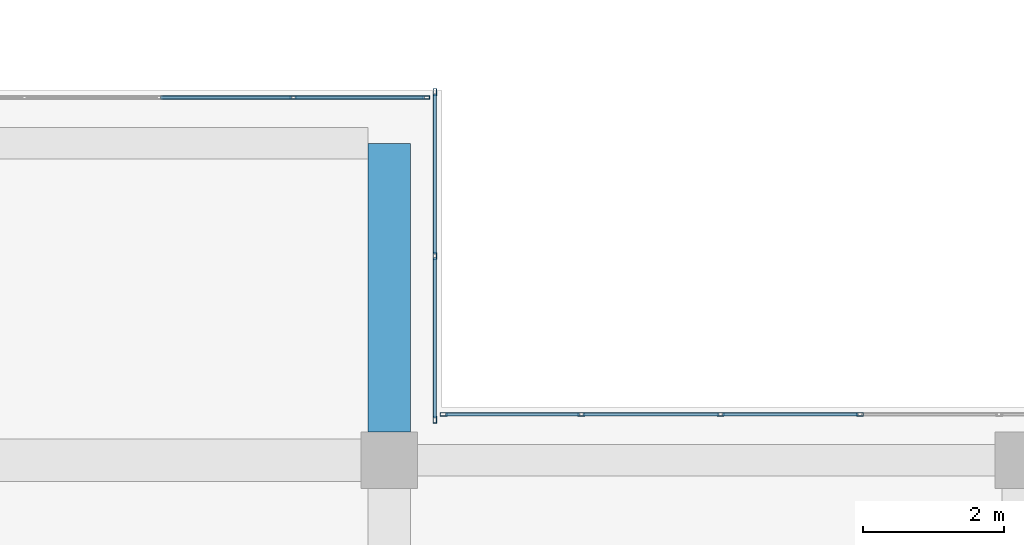
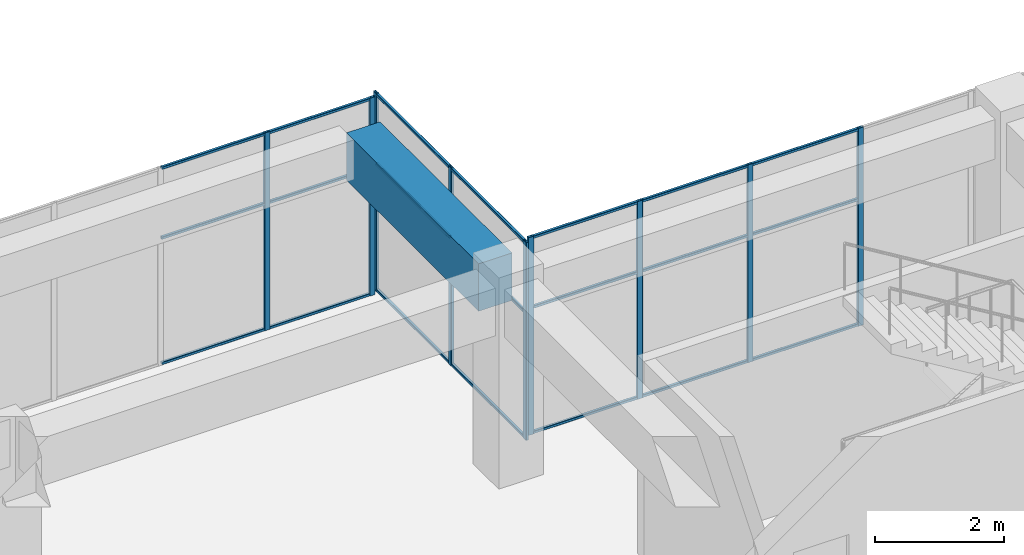
# One storey, part 35 of 66: 30 members, 1 beam, 3 elements without a shape of their own.
"""IFC4 building model written with IfcOpenShell, lengths in metres."""

from ifc_helpers import new_model, si_unit, direction, frame, origin, origin_2d, place, context, subcontext, project, spatial, rectangle, hollow_rectangle, extrude, material, layer, layer_set, material_profile, profile_set, type_object, element, aggregate, save


model = new_model("IFC4")

# Units and contexts
model_context = context("Model", 3, precision=1e-05, world=origin(), true_north=direction((0.0, 1.0)))
body_context = subcontext(model_context, "Body", "Model", "MODEL_VIEW")
ifc_project = project(units=[si_unit("LENGTHUNIT", "METRE"), si_unit("AREAUNIT", "SQUARE_METRE"), si_unit("VOLUMEUNIT", "CUBIC_METRE"), si_unit("PLANEANGLEUNIT", "RADIAN"), si_unit("MASSUNIT", "GRAM", prefix="KILO")], contexts=[model_context])

# Site, building, storey
site_placement = place(None, origin())
site = spatial("IfcSite", under=ifc_project, at=site_placement, CompositionType="ELEMENT")
building_placement = place(site_placement, origin())
building = spatial("IfcBuilding", under=site, at=building_placement, Name="Tuart Plaza Theatre", CompositionType="ELEMENT")
storey_placement = place(building_placement, frame((0.0, 0.0, 5.5)))
storey = spatial("IfcBuildingStorey", under=building, at=storey_placement, Name="L01", CompositionType="ELEMENT", Elevation=5.5)

# Beam
ifc_material_1 = material(Name="Concrete N40 (40 MPa)", Category="concrete")
ifc_material_profile_1 = material_profile(ifc_material_1, rectangle(XDim=0.60009765625, YDim=0.89990234375, at=origin_2d()), Name="BEAM 600x900 Concrete N40 (40 MPa)")
ifc_profile_set_1 = profile_set([ifc_material_profile_1], Name="Concrete N40 (40 MPa)")
beam_type = type_object("IfcBeamType", Name="BEAM 600x900 Concrete N40 (40 MPa)", PredefinedType="BEAM", material=ifc_profile_set_1)
beam_placement = place(storey_placement, frame((132.0, 92.39990234375, 3.300048828125), z_axis=(0.0, 1.0, 0.0), x_axis=(-1.0, 0.0, 0.0)))
element("IfcBeam", 1, at=beam_placement, inside=storey, type_object=beam_type, Name="RB186", PredefinedType="BEAM", context=body_context, shape_type="SweptSolid", body=[
    extrude(rectangle(XDim=0.60009765625, YDim=0.89990234375, at=origin_2d()), origin(), (0.0, 0.0, 1.0), 4.10009765625),
])

# Curtain wall, members
ifc_material_2 = material(Name="Aluminium and glass", Category="aluminium")
ifc_layer = layer(ifc_material_2, 0.10009765625)
ifc_layer_set = layer_set([ifc_layer], Name="CURTAIN WALL 2000 module")
curtain_wall_type = type_object("IfcCurtainWallType", Name="CURTAIN WALL 2000 module", PredefinedType="NOTDEFINED", material=ifc_layer_set)
curtain_wall_1_placement = place(storey_placement, origin())
curtain_wall_1 = element("IfcCurtainWall", 2, at=curtain_wall_1_placement, inside=storey, type_object=curtain_wall_type, Name="CW70", PredefinedType="NOTDEFINED")
ifc_material_3 = material(Name="Aluminium 6063-T5", Category="aluminium")
ifc_material_profile_2 = material_profile(ifc_material_3, hollow_rectangle(XDim=0.050048828125, YDim=0.10009765625, WallThickness=0.00390625, InnerFilletRadius=0.00390625, OuterFilletRadius=0.008056640625, at=origin_2d()), Name="RHS 100x50x4")
ifc_profile_set_2 = profile_set([ifc_material_profile_2], Name="Aluminium 6063-T5")
member_type_1 = type_object("IfcMemberType", Name="MULLION RHS 100x50x4", PredefinedType="MULLION", material=ifc_profile_set_2)
member_1_placement = place(storey_placement, frame((138.683349609375, 92.64990234375, 0.0), z_axis=(0.0, 0.0, 1.0), x_axis=(0.0, -1.0, 0.0)))
member_1 = element("IfcMember", 3, at=member_1_placement, type_object=member_type_1, Name="CW70 mullion 7", PredefinedType="MULLION", context=body_context, shape_type="SweptSolid", body=[
    extrude(hollow_rectangle(XDim=0.050048828125, YDim=0.10009765625, WallThickness=0.00390625, InnerFilletRadius=0.00390625, OuterFilletRadius=0.008056640625, at=origin_2d()), origin(), (0.0, 0.0, 1.0), 3.75),
])
member_2_placement = place(storey_placement, frame((136.70556640625, 92.64990234375, 0.0), z_axis=(0.0, 0.0, 1.0), x_axis=(0.0, -1.0, 0.0)))
member_2 = element("IfcMember", 4, at=member_2_placement, type_object=member_type_1, Name="CW70 mullion 8", PredefinedType="MULLION", context=body_context, shape_type="SweptSolid", body=[
    extrude(hollow_rectangle(XDim=0.050048828125, YDim=0.10009765625, WallThickness=0.00390625, InnerFilletRadius=0.00390625, OuterFilletRadius=0.008056640625, at=origin_2d()), origin(), (0.0, 0.0, 1.0), 3.75),
])
member_3_placement = place(storey_placement, frame((134.727783203125, 92.64990234375, 0.0), z_axis=(0.0, 0.0, 1.0), x_axis=(0.0, -1.0, 0.0)))
member_3 = element("IfcMember", 5, at=member_3_placement, type_object=member_type_1, Name="CW70 mullion 9", PredefinedType="MULLION", context=body_context, shape_type="SweptSolid", body=[
    extrude(hollow_rectangle(XDim=0.050048828125, YDim=0.10009765625, WallThickness=0.00390625, InnerFilletRadius=0.00390625, OuterFilletRadius=0.008056640625, at=origin_2d()), origin(), (0.0, 0.0, 1.0), 3.75),
])
member_4_placement = place(storey_placement, frame((132.77490234375, 92.64990234375, 0.0), z_axis=(0.0, 0.0, 1.0), x_axis=(0.0, -1.0, 0.0)))
member_4 = element("IfcMember", 6, at=member_4_placement, type_object=member_type_1, Name="CW70 mullion 10", PredefinedType="MULLION", context=body_context, shape_type="SweptSolid", body=[
    extrude(hollow_rectangle(XDim=0.050048828125, YDim=0.10009765625, WallThickness=0.00390625, InnerFilletRadius=0.00390625, OuterFilletRadius=0.008056640625, at=origin_2d()), origin(), (0.0, 0.0, 1.0), 3.75),
])

curtain_wall_2_placement = place(storey_placement, origin())
curtain_wall_2 = element("IfcCurtainWall", 7, at=curtain_wall_2_placement, inside=storey, type_object=curtain_wall_type, Name="CW71", PredefinedType="NOTDEFINED")
member_5_placement = place(storey_placement, frame((132.64990234375, 92.574951171875, 0.0), z_axis=(0.0, 0.0, 1.0), x_axis=(-1.0, 0.0, 0.0)))
member_5 = element("IfcMember", 8, at=member_5_placement, type_object=member_type_1, Name="CW71 mullion 1", PredefinedType="MULLION", context=body_context, shape_type="SweptSolid", body=[
    extrude(hollow_rectangle(XDim=0.050048828125, YDim=0.10009765625, WallThickness=0.00390625, InnerFilletRadius=0.00390625, OuterFilletRadius=0.008056640625, at=origin_2d()), origin(), (0.0, 0.0, 1.0), 3.75),
])
member_6_placement = place(storey_placement, frame((132.64990234375, 94.89990234375, 0.0), z_axis=(0.0, 0.0, 1.0), x_axis=(-1.0, 0.0, 0.0)))
member_6 = element("IfcMember", 9, at=member_6_placement, type_object=member_type_1, Name="CW71 mullion 2", PredefinedType="MULLION", context=body_context, shape_type="SweptSolid", body=[
    extrude(hollow_rectangle(XDim=0.050048828125, YDim=0.10009765625, WallThickness=0.00390625, InnerFilletRadius=0.00390625, OuterFilletRadius=0.008056640625, at=origin_2d()), origin(), (0.0, 0.0, 1.0), 3.75),
])
member_7_placement = place(storey_placement, frame((132.64990234375, 97.22509765625, 0.0), z_axis=(0.0, 0.0, 1.0), x_axis=(-1.0, 0.0, 0.0)))
member_7 = element("IfcMember", 10, at=member_7_placement, type_object=member_type_1, Name="CW71 mullion 3", PredefinedType="MULLION", context=body_context, shape_type="SweptSolid", body=[
    extrude(hollow_rectangle(XDim=0.050048828125, YDim=0.10009765625, WallThickness=0.00390625, InnerFilletRadius=0.00390625, OuterFilletRadius=0.008056640625, at=origin_2d()), origin(), (0.0, 0.0, 1.0), 3.75),
])

curtain_wall_3_placement = place(storey_placement, origin())
curtain_wall_3 = element("IfcCurtainWall", 11, at=curtain_wall_3_placement, inside=storey, type_object=curtain_wall_type, Name="CW72", PredefinedType="NOTDEFINED")
member_8_placement = place(storey_placement, frame((132.52490234375, 97.14990234375, 0.0), z_axis=(0.0, 0.0, 1.0), x_axis=(0.0, -1.0, 0.0)))
member_8 = element("IfcMember", 12, at=member_8_placement, type_object=member_type_1, Name="CW72 mullion 1", PredefinedType="MULLION", context=body_context, shape_type="SweptSolid", body=[
    extrude(hollow_rectangle(XDim=0.050048828125, YDim=0.10009765625, WallThickness=0.00390625, InnerFilletRadius=0.00390625, OuterFilletRadius=0.008056640625, at=origin_2d()), origin(), (0.0, 0.0, 1.0), 3.75),
])
member_9_placement = place(storey_placement, frame((130.639892578125, 97.14990234375, 0.0), z_axis=(0.0, 0.0, 1.0), x_axis=(0.0, -1.0, 0.0)))
member_9 = element("IfcMember", 13, at=member_9_placement, type_object=member_type_1, Name="CW72 mullion 2", PredefinedType="MULLION", context=body_context, shape_type="SweptSolid", body=[
    extrude(hollow_rectangle(XDim=0.050048828125, YDim=0.10009765625, WallThickness=0.00390625, InnerFilletRadius=0.00390625, OuterFilletRadius=0.008056640625, at=origin_2d()), origin(), (0.0, 0.0, 1.0), 3.75),
])

# Member
ifc_material_4 = material(Name="Aluminium 6063-T5", Category="aluminium")
ifc_material_profile_3 = material_profile(ifc_material_4, hollow_rectangle(XDim=0.050048828125, YDim=0.050048828125, WallThickness=0.00390625, InnerFilletRadius=0.00390625, OuterFilletRadius=0.008056640625, at=origin_2d()), Name="RHS 50x50x4")
ifc_profile_set_3 = profile_set([ifc_material_profile_3], Name="Aluminium 6063-T5")
member_type_2 = type_object("IfcMemberType", Name="TRANSOM RHS 50x50x4", PredefinedType="USERDEFINED", material=ifc_profile_set_3)
member_10_placement = place(storey_placement, frame((138.658447265625, 92.64990234375, 0.02490234375), z_axis=(-1.0, 0.0, 0.0), x_axis=(0.0, -1.0, 0.0)))
member_10 = element("IfcMember", 14, at=member_10_placement, type_object=member_type_2, Name="CW70 transom 7.1", ObjectType="TRANSOM", PredefinedType="USERDEFINED", context=body_context, shape_type="SweptSolid", body=[
    extrude(hollow_rectangle(XDim=0.050048828125, YDim=0.050048828125, WallThickness=0.00390625, InnerFilletRadius=0.00390625, OuterFilletRadius=0.008056640625, at=origin_2d()), origin(), (0.0, 0.0, 1.0), 1.927978515625),
])

member_11_placement = place(storey_placement, frame((138.658447265625, 92.64990234375, 2.39990234375), z_axis=(-1.0, 0.0, 0.0), x_axis=(0.0, -1.0, 0.0)))
member_11 = element("IfcMember", 15, at=member_11_placement, type_object=member_type_2, Name="CW70 transom 7.2", ObjectType="TRANSOM", PredefinedType="USERDEFINED", context=body_context, shape_type="SweptSolid", body=[
    extrude(hollow_rectangle(XDim=0.050048828125, YDim=0.050048828125, WallThickness=0.00390625, InnerFilletRadius=0.00390625, OuterFilletRadius=0.008056640625, at=origin_2d()), origin(), (0.0, 0.0, 1.0), 1.927978515625),
])

member_12_placement = place(storey_placement, frame((138.658447265625, 92.64990234375, 3.72509765625), z_axis=(-1.0, 0.0, 0.0), x_axis=(0.0, -1.0, 0.0)))
member_12 = element("IfcMember", 16, at=member_12_placement, type_object=member_type_2, Name="CW70 transom 7.3", ObjectType="TRANSOM", PredefinedType="USERDEFINED", context=body_context, shape_type="SweptSolid", body=[
    extrude(hollow_rectangle(XDim=0.050048828125, YDim=0.050048828125, WallThickness=0.00390625, InnerFilletRadius=0.00390625, OuterFilletRadius=0.008056640625, at=origin_2d()), origin(), (0.0, 0.0, 1.0), 1.927978515625),
])

member_13_placement = place(storey_placement, frame((136.6806640625, 92.64990234375, 0.02490234375), z_axis=(-1.0, 0.0, 0.0), x_axis=(0.0, -1.0, 0.0)))
member_13 = element("IfcMember", 17, at=member_13_placement, type_object=member_type_2, Name="CW70 transom 8.1", ObjectType="TRANSOM", PredefinedType="USERDEFINED", context=body_context, shape_type="SweptSolid", body=[
    extrude(hollow_rectangle(XDim=0.050048828125, YDim=0.050048828125, WallThickness=0.00390625, InnerFilletRadius=0.00390625, OuterFilletRadius=0.008056640625, at=origin_2d()), origin(), (0.0, 0.0, 1.0), 1.927978515625),
])

member_14_placement = place(storey_placement, frame((136.6806640625, 92.64990234375, 2.39990234375), z_axis=(-1.0, 0.0, 0.0), x_axis=(0.0, -1.0, 0.0)))
member_14 = element("IfcMember", 18, at=member_14_placement, type_object=member_type_2, Name="CW70 transom 8.2", ObjectType="TRANSOM", PredefinedType="USERDEFINED", context=body_context, shape_type="SweptSolid", body=[
    extrude(hollow_rectangle(XDim=0.050048828125, YDim=0.050048828125, WallThickness=0.00390625, InnerFilletRadius=0.00390625, OuterFilletRadius=0.008056640625, at=origin_2d()), origin(), (0.0, 0.0, 1.0), 1.927978515625),
])

member_15_placement = place(storey_placement, frame((136.6806640625, 92.64990234375, 3.72509765625), z_axis=(-1.0, 0.0, 0.0), x_axis=(0.0, -1.0, 0.0)))
member_15 = element("IfcMember", 19, at=member_15_placement, type_object=member_type_2, Name="CW70 transom 8.3", ObjectType="TRANSOM", PredefinedType="USERDEFINED", context=body_context, shape_type="SweptSolid", body=[
    extrude(hollow_rectangle(XDim=0.050048828125, YDim=0.050048828125, WallThickness=0.00390625, InnerFilletRadius=0.00390625, OuterFilletRadius=0.008056640625, at=origin_2d()), origin(), (0.0, 0.0, 1.0), 1.927978515625),
])

member_16_placement = place(storey_placement, frame((134.702880859375, 92.64990234375, 0.02490234375), z_axis=(-1.0, 0.0, 0.0), x_axis=(0.0, -1.0, 0.0)))
member_16 = element("IfcMember", 20, at=member_16_placement, type_object=member_type_2, Name="CW70 transom 9.1", ObjectType="TRANSOM", PredefinedType="USERDEFINED", context=body_context, shape_type="SweptSolid", body=[
    extrude(hollow_rectangle(XDim=0.050048828125, YDim=0.050048828125, WallThickness=0.00390625, InnerFilletRadius=0.00390625, OuterFilletRadius=0.008056640625, at=origin_2d()), origin(), (0.0, 0.0, 1.0), 1.90283203125),
])

member_17_placement = place(storey_placement, frame((134.702880859375, 92.64990234375, 2.39990234375), z_axis=(-1.0, 0.0, 0.0), x_axis=(0.0, -1.0, 0.0)))
member_17 = element("IfcMember", 21, at=member_17_placement, type_object=member_type_2, Name="CW70 transom 9.2", ObjectType="TRANSOM", PredefinedType="USERDEFINED", context=body_context, shape_type="SweptSolid", body=[
    extrude(hollow_rectangle(XDim=0.050048828125, YDim=0.050048828125, WallThickness=0.00390625, InnerFilletRadius=0.00390625, OuterFilletRadius=0.008056640625, at=origin_2d()), origin(), (0.0, 0.0, 1.0), 1.90283203125),
])

member_18_placement = place(storey_placement, frame((134.702880859375, 92.64990234375, 3.72509765625), z_axis=(-1.0, 0.0, 0.0), x_axis=(0.0, -1.0, 0.0)))
member_18 = element("IfcMember", 22, at=member_18_placement, type_object=member_type_2, Name="CW70 transom 9.3", ObjectType="TRANSOM", PredefinedType="USERDEFINED", context=body_context, shape_type="SweptSolid", body=[
    extrude(hollow_rectangle(XDim=0.050048828125, YDim=0.050048828125, WallThickness=0.00390625, InnerFilletRadius=0.00390625, OuterFilletRadius=0.008056640625, at=origin_2d()), origin(), (0.0, 0.0, 1.0), 1.90283203125),
])

aggregate(curtain_wall_1, [member_1, member_2, member_3, member_4, member_10, member_11, member_12, member_13, member_14, member_15, member_16, member_17, member_18])

member_19_placement = place(storey_placement, frame((132.64990234375, 92.60009765625, 0.02490234375), z_axis=(0.0, 1.0, 0.0), x_axis=(-1.0, 0.0, 0.0)))
member_19 = element("IfcMember", 23, at=member_19_placement, type_object=member_type_2, Name="CW71 transom 1.1", ObjectType="TRANSOM", PredefinedType="USERDEFINED", context=body_context, shape_type="SweptSolid", body=[
    extrude(hollow_rectangle(XDim=0.050048828125, YDim=0.050048828125, WallThickness=0.00390625, InnerFilletRadius=0.00390625, OuterFilletRadius=0.008056640625, at=origin_2d()), origin(), (0.0, 0.0, 1.0), 2.27490234375),
])

member_20_placement = place(storey_placement, frame((132.64990234375, 92.60009765625, 2.39990234375), z_axis=(0.0, 1.0, 0.0), x_axis=(-1.0, 0.0, 0.0)))
member_20 = element("IfcMember", 24, at=member_20_placement, type_object=member_type_2, Name="CW71 transom 1.2", ObjectType="TRANSOM", PredefinedType="USERDEFINED", context=body_context, shape_type="SweptSolid", body=[
    extrude(hollow_rectangle(XDim=0.050048828125, YDim=0.050048828125, WallThickness=0.00390625, InnerFilletRadius=0.00390625, OuterFilletRadius=0.008056640625, at=origin_2d()), origin(), (0.0, 0.0, 1.0), 2.27490234375),
])

member_21_placement = place(storey_placement, frame((132.64990234375, 92.60009765625, 3.72509765625), z_axis=(0.0, 1.0, 0.0), x_axis=(-1.0, 0.0, 0.0)))
member_21 = element("IfcMember", 25, at=member_21_placement, type_object=member_type_2, Name="CW71 transom 1.3", ObjectType="TRANSOM", PredefinedType="USERDEFINED", context=body_context, shape_type="SweptSolid", body=[
    extrude(hollow_rectangle(XDim=0.050048828125, YDim=0.050048828125, WallThickness=0.00390625, InnerFilletRadius=0.00390625, OuterFilletRadius=0.008056640625, at=origin_2d()), origin(), (0.0, 0.0, 1.0), 2.27490234375),
])

member_22_placement = place(storey_placement, frame((132.64990234375, 94.925048828125, 0.02490234375), z_axis=(0.0, 1.0, 0.0), x_axis=(-1.0, 0.0, 0.0)))
member_22 = element("IfcMember", 26, at=member_22_placement, type_object=member_type_2, Name="CW71 transom 2.1", ObjectType="TRANSOM", PredefinedType="USERDEFINED", context=body_context, shape_type="SweptSolid", body=[
    extrude(hollow_rectangle(XDim=0.050048828125, YDim=0.050048828125, WallThickness=0.00390625, InnerFilletRadius=0.00390625, OuterFilletRadius=0.008056640625, at=origin_2d()), origin(), (0.0, 0.0, 1.0), 2.27490234375),
])

member_23_placement = place(storey_placement, frame((132.64990234375, 94.925048828125, 2.39990234375), z_axis=(0.0, 1.0, 0.0), x_axis=(-1.0, 0.0, 0.0)))
member_23 = element("IfcMember", 27, at=member_23_placement, type_object=member_type_2, Name="CW71 transom 2.2", ObjectType="TRANSOM", PredefinedType="USERDEFINED", context=body_context, shape_type="SweptSolid", body=[
    extrude(hollow_rectangle(XDim=0.050048828125, YDim=0.050048828125, WallThickness=0.00390625, InnerFilletRadius=0.00390625, OuterFilletRadius=0.008056640625, at=origin_2d()), origin(), (0.0, 0.0, 1.0), 2.27490234375),
])

member_24_placement = place(storey_placement, frame((132.64990234375, 94.925048828125, 3.72509765625), z_axis=(0.0, 1.0, 0.0), x_axis=(-1.0, 0.0, 0.0)))
member_24 = element("IfcMember", 28, at=member_24_placement, type_object=member_type_2, Name="CW71 transom 2.3", ObjectType="TRANSOM", PredefinedType="USERDEFINED", context=body_context, shape_type="SweptSolid", body=[
    extrude(hollow_rectangle(XDim=0.050048828125, YDim=0.050048828125, WallThickness=0.00390625, InnerFilletRadius=0.00390625, OuterFilletRadius=0.008056640625, at=origin_2d()), origin(), (0.0, 0.0, 1.0), 2.27490234375),
])

aggregate(curtain_wall_2, [member_5, member_6, member_7, member_19, member_20, member_21, member_22, member_23, member_24])

member_25_placement = place(storey_placement, frame((132.5, 97.14990234375, 0.02490234375), z_axis=(-1.0, 0.0, 0.0), x_axis=(0.0, -1.0, 0.0)))
member_25 = element("IfcMember", 29, at=member_25_placement, type_object=member_type_2, Name="CW72 transom 1.1", ObjectType="TRANSOM", PredefinedType="USERDEFINED", context=body_context, shape_type="SweptSolid", body=[
    extrude(hollow_rectangle(XDim=0.050048828125, YDim=0.050048828125, WallThickness=0.00390625, InnerFilletRadius=0.00390625, OuterFilletRadius=0.008056640625, at=origin_2d()), origin(), (0.0, 0.0, 1.0), 1.8349609375),
])

member_26_placement = place(storey_placement, frame((132.5, 97.14990234375, 2.39990234375), z_axis=(-1.0, 0.0, 0.0), x_axis=(0.0, -1.0, 0.0)))
member_26 = element("IfcMember", 30, at=member_26_placement, type_object=member_type_2, Name="CW72 transom 1.2", ObjectType="TRANSOM", PredefinedType="USERDEFINED", context=body_context, shape_type="SweptSolid", body=[
    extrude(hollow_rectangle(XDim=0.050048828125, YDim=0.050048828125, WallThickness=0.00390625, InnerFilletRadius=0.00390625, OuterFilletRadius=0.008056640625, at=origin_2d()), origin(), (0.0, 0.0, 1.0), 1.8349609375),
])

member_27_placement = place(storey_placement, frame((132.5, 97.14990234375, 3.72509765625), z_axis=(-1.0, 0.0, 0.0), x_axis=(0.0, -1.0, 0.0)))
member_27 = element("IfcMember", 31, at=member_27_placement, type_object=member_type_2, Name="CW72 transom 1.3", ObjectType="TRANSOM", PredefinedType="USERDEFINED", context=body_context, shape_type="SweptSolid", body=[
    extrude(hollow_rectangle(XDim=0.050048828125, YDim=0.050048828125, WallThickness=0.00390625, InnerFilletRadius=0.00390625, OuterFilletRadius=0.008056640625, at=origin_2d()), origin(), (0.0, 0.0, 1.0), 1.8349609375),
])

member_28_placement = place(storey_placement, frame((130.614990234375, 97.14990234375, 0.02490234375), z_axis=(-1.0, 0.0, 0.0), x_axis=(0.0, -1.0, 0.0)))
member_28 = element("IfcMember", 32, at=member_28_placement, type_object=member_type_2, Name="CW72 transom 2.1", ObjectType="TRANSOM", PredefinedType="USERDEFINED", context=body_context, shape_type="SweptSolid", body=[
    extrude(hollow_rectangle(XDim=0.050048828125, YDim=0.050048828125, WallThickness=0.00390625, InnerFilletRadius=0.00390625, OuterFilletRadius=0.008056640625, at=origin_2d()), origin(), (0.0, 0.0, 1.0), 1.860107421875),
])

member_29_placement = place(storey_placement, frame((130.614990234375, 97.14990234375, 2.39990234375), z_axis=(-1.0, 0.0, 0.0), x_axis=(0.0, -1.0, 0.0)))
member_29 = element("IfcMember", 33, at=member_29_placement, type_object=member_type_2, Name="CW72 transom 2.2", ObjectType="TRANSOM", PredefinedType="USERDEFINED", context=body_context, shape_type="SweptSolid", body=[
    extrude(hollow_rectangle(XDim=0.050048828125, YDim=0.050048828125, WallThickness=0.00390625, InnerFilletRadius=0.00390625, OuterFilletRadius=0.008056640625, at=origin_2d()), origin(), (0.0, 0.0, 1.0), 1.860107421875),
])

member_30_placement = place(storey_placement, frame((130.614990234375, 97.14990234375, 3.72509765625), z_axis=(-1.0, 0.0, 0.0), x_axis=(0.0, -1.0, 0.0)))
member_30 = element("IfcMember", 34, at=member_30_placement, type_object=member_type_2, Name="CW72 transom 2.3", ObjectType="TRANSOM", PredefinedType="USERDEFINED", context=body_context, shape_type="SweptSolid", body=[
    extrude(hollow_rectangle(XDim=0.050048828125, YDim=0.050048828125, WallThickness=0.00390625, InnerFilletRadius=0.00390625, OuterFilletRadius=0.008056640625, at=origin_2d()), origin(), (0.0, 0.0, 1.0), 1.860107421875),
])

aggregate(curtain_wall_3, [member_8, member_9, member_25, member_26, member_27, member_28, member_29, member_30])

save(model, "model.ifc")
